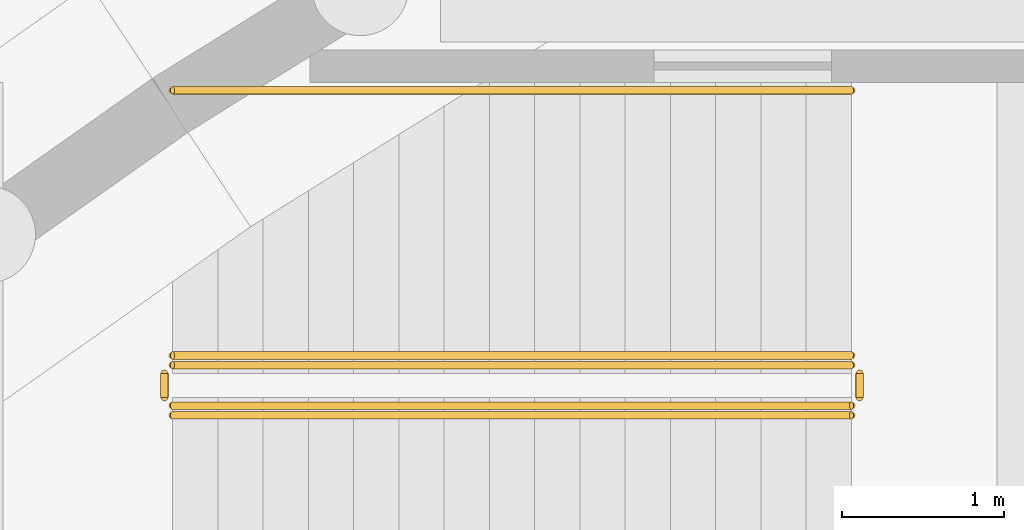
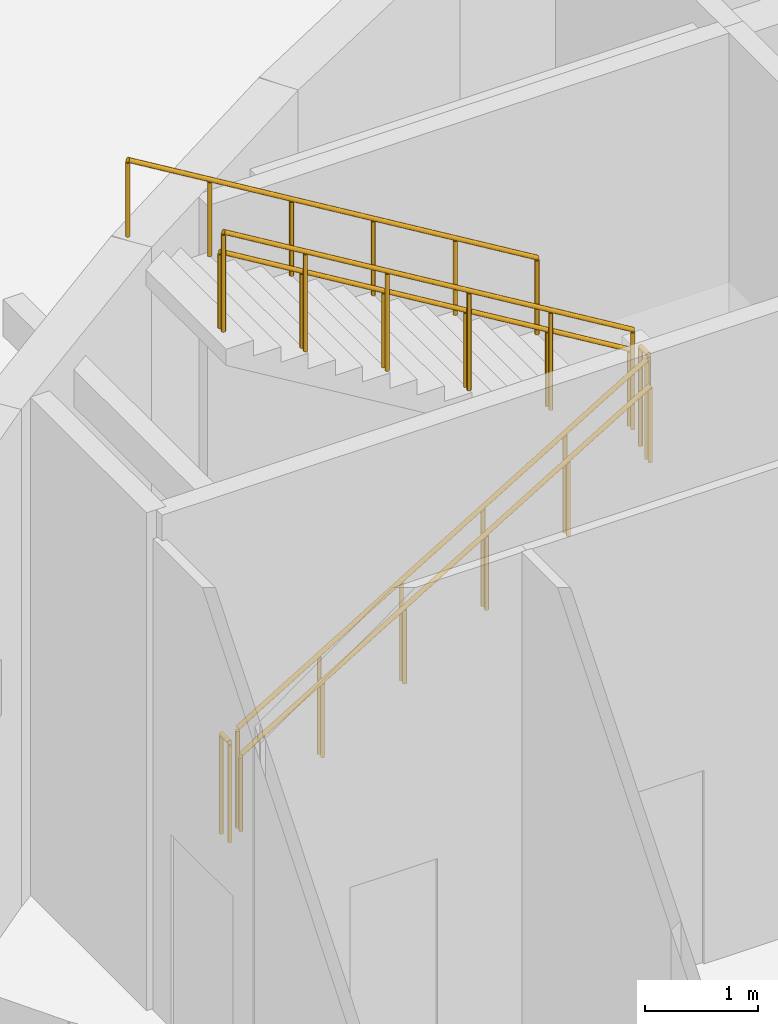
# One storey, part 76 of 82: 7 railings.
"""IFC4 building model written with IfcOpenShell, lengths in metres."""

from ifc_helpers import new_model, si_unit, direction, frame, origin, origin_2d, place, context, subcontext, project, spatial, circle, extrude, material, type_object, element, save


model = new_model("IFC4")

# Units and contexts
model_context = context("Model", 3, precision=1e-05, world=origin(), true_north=direction((0.0, 1.0)))
body_context = subcontext(model_context, "Body", "Model", "MODEL_VIEW")
ifc_project = project(units=[si_unit("LENGTHUNIT", "METRE"), si_unit("AREAUNIT", "SQUARE_METRE"), si_unit("VOLUMEUNIT", "CUBIC_METRE"), si_unit("PLANEANGLEUNIT", "RADIAN"), si_unit("MASSUNIT", "GRAM", prefix="KILO")], contexts=[model_context])

# Site, building, storey
site_placement = place(None, origin())
site = spatial("IfcSite", under=ifc_project, at=site_placement, CompositionType="ELEMENT")
building_placement = place(site_placement, origin())
building = spatial("IfcBuilding", under=site, at=building_placement, Name="Tide Square Theatres", CompositionType="ELEMENT")
storey_placement = place(building_placement, origin())
storey = spatial("IfcBuildingStorey", under=building, at=storey_placement, Name="L00", CompositionType="ELEMENT", Elevation=0.0)

# Railings
ifc_material_1 = material(Name="Painted steel", Category="steel")
railing_type_1 = type_object("IfcRailingType", Name="Steel guard 1100", PredefinedType="GUARDRAIL", material=ifc_material_1)
railing_1_placement = place(storey_placement, frame((10.60009765625, 100.550048828125, 0.168701171875)))
element("IfcRailing", 1, at=railing_1_placement, inside=storey, type_object=railing_type_1, Name="L00 WST-1 stair guard 1", PredefinedType="GUARDRAIL", context=body_context, shape_type="SweptSolid", body=[
    extrude(circle(Radius=0.02392578125, at=origin_2d()), frame((0.0, 0.0, 1.076171875), z_axis=(0.856476492594, 0.0, 0.516186030065), x_axis=(0.0, 1.0, 0.0)), (0.0, 0.0, 1.0), 4.90380859375),
    extrude(circle(Radius=0.02099609375, at=origin_2d()), origin(), (0.0, 0.0, 1.0), 1.052001953125),
    extrude(circle(Radius=0.02099609375, at=origin_2d()), frame((0.840087890625, 0.0, 0.50634765625)), (0.0, 0.0, 1.0), 1.052001953125),
    extrude(circle(Radius=0.02099609375, at=origin_2d()), frame((1.679931640625, 0.0, 1.012451171875)), (0.0, 0.0, 1.0), 1.052001953125),
    extrude(circle(Radius=0.02099609375, at=origin_2d()), frame((2.52001953125, 0.0, 1.518798828125)), (0.0, 0.0, 1.0), 1.052001953125),
    extrude(circle(Radius=0.02099609375, at=origin_2d()), frame((3.35986328125, 0.0, 2.02490234375)), (0.0, 0.0, 1.0), 1.052001953125),
    extrude(circle(Radius=0.02099609375, at=origin_2d()), frame((4.199951171875, 0.0, 2.53125)), (0.0, 0.0, 1.0), 1.052001953125),
])
railing_2_placement = place(storey_placement, frame((14.85009765625, 100.60009765625, 2.699951171875)))
element("IfcRailing", 2, at=railing_2_placement, inside=storey, type_object=railing_type_1, Name="L00 WST-1 stair guard 2", PredefinedType="GUARDRAIL", context=body_context, shape_type="SweptSolid", body=[
    extrude(circle(Radius=0.02392578125, at=origin_2d()), frame((0.0, 0.0, 1.076171875), z_axis=(0.0, 1.0, 0.0), x_axis=(-1.0, 0.0, 0.0)), (0.0, 0.0, 1.0), 0.14990234375),
    extrude(circle(Radius=0.02099609375, at=origin_2d()), origin(), (0.0, 0.0, 1.0), 1.052001953125),
    extrude(circle(Radius=0.02099609375, at=origin_2d()), frame((0.0, 0.14990234375, 0.0)), (0.0, 0.0, 1.0), 1.052001953125),
])
railing_3_placement = place(storey_placement, frame((14.800048828125, 100.800048828125, 2.86865234375)))
element("IfcRailing", 3, at=railing_3_placement, inside=storey, type_object=railing_type_1, Name="L00 WST-1 stair guard 3", PredefinedType="GUARDRAIL", context=body_context, shape_type="SweptSolid", body=[
    extrude(circle(Radius=0.02392578125, at=origin_2d()), frame((0.0, 0.0, 1.076171875), z_axis=(-0.856476492594, 0.0, 0.516186030065), x_axis=(0.0, -1.0, 0.0)), (0.0, 0.0, 1.0), 4.90380859375),
    extrude(circle(Radius=0.02099609375, at=origin_2d()), origin(), (0.0, 0.0, 1.0), 1.052001953125),
    extrude(circle(Radius=0.02099609375, at=origin_2d()), frame((-0.840087890625, 0.0, 0.50634765625)), (0.0, 0.0, 1.0), 1.052001953125),
    extrude(circle(Radius=0.02099609375, at=origin_2d()), frame((-1.679931640625, 0.0, 1.012451171875)), (0.0, 0.0, 1.0), 1.052001953125),
    extrude(circle(Radius=0.02099609375, at=origin_2d()), frame((-2.52001953125, 0.0, 1.518798828125)), (0.0, 0.0, 1.0), 1.052001953125),
    extrude(circle(Radius=0.02099609375, at=origin_2d()), frame((-3.35986328125, 0.0, 2.02490234375)), (0.0, 0.0, 1.0), 1.052001953125),
    extrude(circle(Radius=0.02099609375, at=origin_2d()), frame((-4.199951171875, 0.0, 2.53125)), (0.0, 0.0, 1.0), 1.052001953125),
])
railing_4_placement = place(storey_placement, frame((10.550048828125, 100.60009765625, 0.0)))
element("IfcRailing", 4, at=railing_4_placement, inside=storey, type_object=railing_type_1, Name="L00 WST-1 stair guard 4", PredefinedType="GUARDRAIL", context=body_context, shape_type="SweptSolid", body=[
    extrude(circle(Radius=0.02392578125, at=origin_2d()), frame((0.0, 0.0, 1.076171875), z_axis=(0.0, 1.0, 0.0), x_axis=(-1.0, 0.0, 0.0)), (0.0, 0.0, 1.0), 0.14990234375),
    extrude(circle(Radius=0.02099609375, at=origin_2d()), origin(), (0.0, 0.0, 1.0), 1.052001953125),
    extrude(circle(Radius=0.02099609375, at=origin_2d()), frame((0.0, 0.14990234375, 0.0)), (0.0, 0.0, 1.0), 1.052001953125),
])
ifc_material_2 = material(Name="Painted steel", Category="steel")
railing_type_2 = type_object("IfcRailingType", Name="Steel handrail 850", PredefinedType="HANDRAIL", material=ifc_material_2)
railing_5_placement = place(storey_placement, frame((10.60009765625, 100.489990234375, 0.168701171875)))
element("IfcRailing", 5, at=railing_5_placement, inside=storey, type_object=railing_type_2, Name="L00 WST-1 stair handrail 2", PredefinedType="HANDRAIL", context=body_context, shape_type="SweptSolid", body=[
    extrude(circle(Radius=0.02392578125, at=origin_2d()), frame((0.0, 0.0, 0.826171875), z_axis=(0.856476492594, 0.0, 0.516186030065), x_axis=(0.0, 1.0, 0.0)), (0.0, 0.0, 1.0), 4.90380859375),
    extrude(circle(Radius=0.02099609375, at=origin_2d()), origin(), (0.0, 0.0, 1.0), 0.802001953125),
    extrude(circle(Radius=0.02099609375, at=origin_2d()), frame((0.840087890625, 0.0, 0.50634765625)), (0.0, 0.0, 1.0), 0.802001953125),
    extrude(circle(Radius=0.02099609375, at=origin_2d()), frame((1.679931640625, 0.0, 1.012451171875)), (0.0, 0.0, 1.0), 0.802001953125),
    extrude(circle(Radius=0.02099609375, at=origin_2d()), frame((2.52001953125, 0.0, 1.518798828125)), (0.0, 0.0, 1.0), 0.802001953125),
    extrude(circle(Radius=0.02099609375, at=origin_2d()), frame((3.35986328125, 0.0, 2.02490234375)), (0.0, 0.0, 1.0), 0.802001953125),
    extrude(circle(Radius=0.02099609375, at=origin_2d()), frame((4.199951171875, 0.0, 2.53125)), (0.0, 0.0, 1.0), 0.802001953125),
])
for number, where, name in (
    (6, (14.800048828125, 102.5, 2.86865234375), "L00 WST-1 stair handrail 3"),
    (7, (14.800048828125, 100.860107421875, 2.86865234375), "L00 WST-1 stair handrail 4"),
):
    element("IfcRailing", number, at=place(storey_placement, frame(where)), inside=storey, type_object=railing_type_2, Name=name, PredefinedType="HANDRAIL", context=body_context, shape_type="SweptSolid", body=[
        extrude(circle(Radius=0.02392578125, at=origin_2d()), frame((0.0, 0.0, 0.826171875), z_axis=(-0.856476492594, 0.0, 0.516186030065), x_axis=(0.0, -1.0, 0.0)), (0.0, 0.0, 1.0), 4.90380859375),
        extrude(circle(Radius=0.02099609375, at=origin_2d()), origin(), (0.0, 0.0, 1.0), 0.802001953125),
        extrude(circle(Radius=0.02099609375, at=origin_2d()), frame((-0.840087890625, 0.0, 0.50634765625)), (0.0, 0.0, 1.0), 0.802001953125),
        extrude(circle(Radius=0.02099609375, at=origin_2d()), frame((-1.679931640625, 0.0, 1.012451171875)), (0.0, 0.0, 1.0), 0.802001953125),
        extrude(circle(Radius=0.02099609375, at=origin_2d()), frame((-2.52001953125, 0.0, 1.518798828125)), (0.0, 0.0, 1.0), 0.802001953125),
        extrude(circle(Radius=0.02099609375, at=origin_2d()), frame((-3.35986328125, 0.0, 2.02490234375)), (0.0, 0.0, 1.0), 0.802001953125),
        extrude(circle(Radius=0.02099609375, at=origin_2d()), frame((-4.199951171875, 0.0, 2.53125)), (0.0, 0.0, 1.0), 0.802001953125),
    ])

save(model, "model.ifc")
